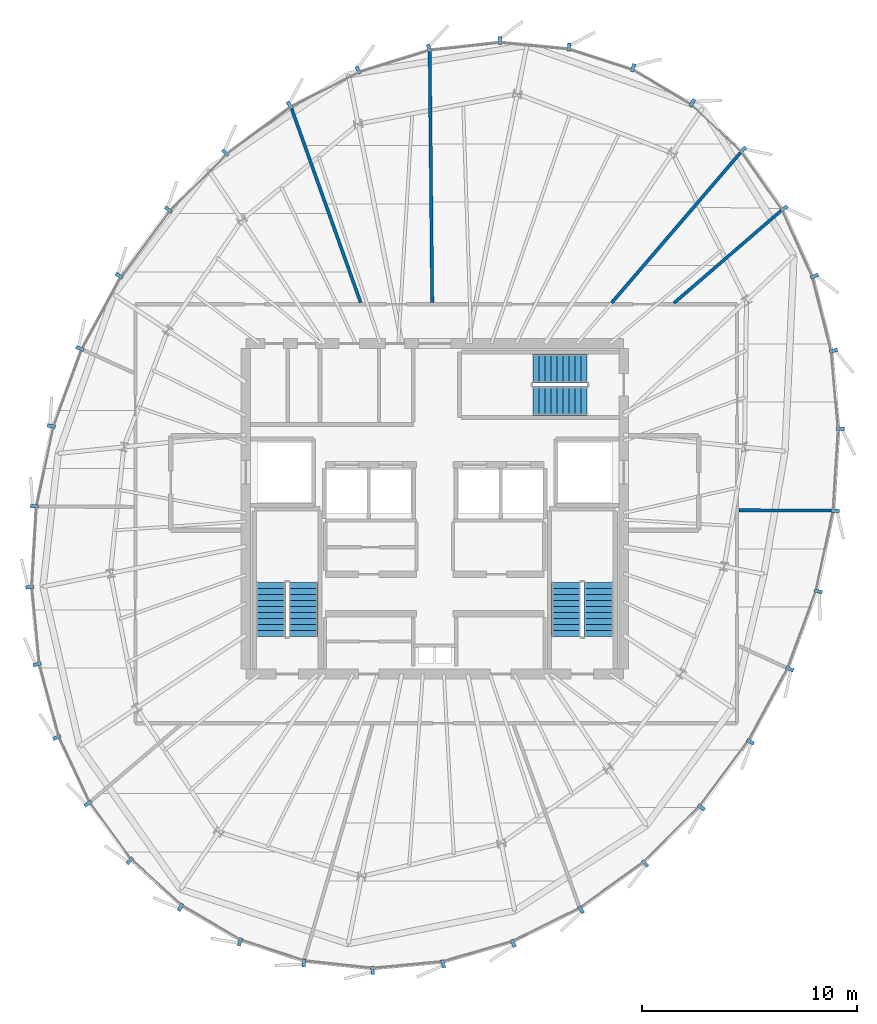
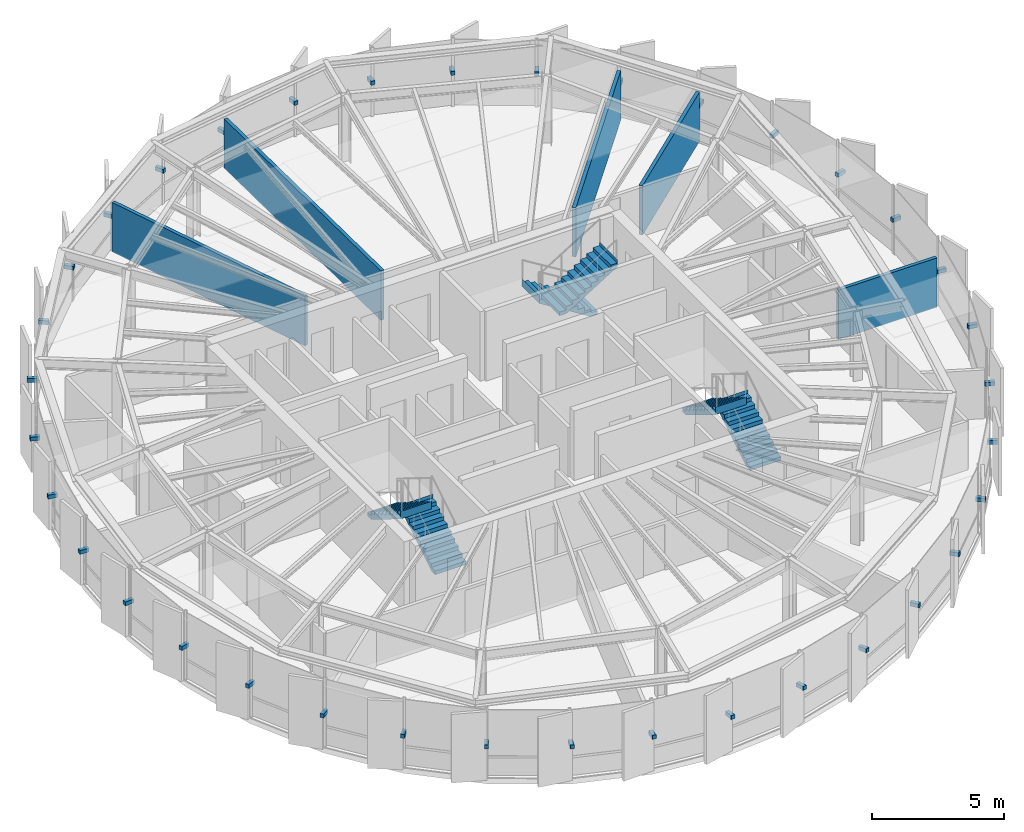
# One storey, part 26 of 30: 36 discrete accessories, 6 stair flights, 5 walls, 3 elements without a shape of their own.
"""IFC4 building model written with IfcOpenShell, lengths in metres."""

from ifc_helpers import new_model, si_unit, direction, frame, frame_2d, origin, origin_2d, place, context, subcontext, project, spatial, polyline, rectangle, outline, extrude, source, transform, mapped, material, layer, layer_set, type_object, element, aggregate, save


model = new_model("IFC4")

# Units and contexts
model_context = context("Model", 3, precision=1e-05, world=origin(), true_north=direction((0.0, 1.0)))
body_context = subcontext(model_context, "Body", "Model", "MODEL_VIEW")
ifc_project = project(units=[si_unit("LENGTHUNIT", "METRE"), si_unit("AREAUNIT", "SQUARE_METRE"), si_unit("VOLUMEUNIT", "CUBIC_METRE"), si_unit("PLANEANGLEUNIT", "RADIAN"), si_unit("MASSUNIT", "GRAM", prefix="KILO"), si_unit("THERMODYNAMICTEMPERATUREUNIT", "KELVIN")], contexts=[model_context])

# Site, building, storey
site_placement = place(None, origin())
site = spatial("IfcSite", under=ifc_project, at=site_placement, CompositionType="ELEMENT")
building_placement = place(site_placement, origin())
building = spatial("IfcBuilding", under=site, at=building_placement, Name="Kethvar Cultural Tower", CompositionType="ELEMENT")
storey_placement = place(building_placement, frame((0.0, 0.0, 297.39990234375)))
storey = spatial("IfcBuildingStorey", under=building, at=storey_placement, Name="L79", CompositionType="ELEMENT", Elevation=297.39990234375)

# Walls
ifc_material_1 = material(Name="Gypsum Acoustic Partition")
ifc_layer = layer(ifc_material_1, 0.14990234375, Name="Gypsum Acoustic Partition")
ifc_layer_set = layer_set([ifc_layer], Name="Gypsum Acoustic Partition (150 mm)")
wall_type = type_object("IfcWallType", Name="WL-PART-150", PredefinedType="PARTITIONING", material=ifc_layer_set)
wall_1_placement = place(storey_placement, frame((60.968017578125, 27.730224609375, 0.0), z_axis=(0.0, 0.0, 1.0), x_axis=(0.999993399001, -0.003633449389, 0.0)))
element("IfcWall", 1, at=wall_1_placement, inside=storey, type_object=wall_type, Name="L79 Radial Partition Wall 05", PredefinedType="PARTITIONING", context=body_context, shape_type="SweptSolid", body=[
    extrude(rectangle(XDim=4.30029296875, YDim=0.14990234375, at=frame_2d((2.150146484375, 0.0))), origin(), (0.0, 0.0, 1.0), 2.280029296875),
])
wall_2_placement = place(storey_placement, frame((57.94482421875, 37.38330078125, 0.0), z_axis=(0.0, 0.0, 1.0), x_axis=(0.757304636247, 0.653061779558, 0.0)))
element("IfcWall", 2, at=wall_2_placement, inside=storey, type_object=wall_type, Name="L79 Radial Partition Wall 06", PredefinedType="PARTITIONING", context=body_context, shape_type="SweptSolid", body=[
    extrude(rectangle(XDim=6.5625, YDim=0.14990234375, at=frame_2d((3.28125, 0.0))), origin(), (0.0, 0.0, 1.0), 2.280029296875),
])
wall_3_placement = place(storey_placement, frame((55.0380859375, 37.3916015625, 0.0), z_axis=(0.0, 0.0, 1.0), x_axis=(0.651204764104, 0.758902072213, 0.0)))
element("IfcWall", 3, at=wall_3_placement, inside=storey, type_object=wall_type, Name="L79 Radial Partition Wall 07", PredefinedType="PARTITIONING", context=body_context, shape_type="SweptSolid", body=[
    extrude(rectangle(XDim=9.190185546875, YDim=0.14990234375, at=frame_2d((4.59521484375, 0.0))), origin(), (0.0, 0.0, 1.0), 2.280029296875),
])
wall_4_placement = place(storey_placement, frame((46.681396484375, 37.410888671875, 0.0), z_axis=(0.0, 0.0, 1.0), x_axis=(-0.00999384371, 0.999950060297, 0.0)))
element("IfcWall", 4, at=wall_4_placement, inside=storey, type_object=wall_type, Name="L79 Radial Partition Wall 08", PredefinedType="PARTITIONING", context=body_context, shape_type="SweptSolid", body=[
    extrude(rectangle(XDim=11.652587890625, YDim=0.14990234375, at=frame_2d((5.826171875, 0.0))), origin(), (0.0, 0.0, 1.0), 2.280029296875),
])
wall_5_placement = place(storey_placement, frame((43.347900390625, 37.406494140625, 0.0), z_axis=(0.0, 0.0, 1.0), x_axis=(-0.335438877296, 0.94206197227, 0.0)))
element("IfcWall", 5, at=wall_5_placement, inside=storey, type_object=wall_type, Name="L79 Radial Partition Wall 09", PredefinedType="PARTITIONING", context=body_context, shape_type="SweptSolid", body=[
    extrude(rectangle(XDim=9.58251953125, YDim=0.14990234375, at=frame_2d((4.791259765625, 0.0))), origin(), (0.0, 0.0, 1.0), 2.280029296875),
])

# Stair, stair flights
ifc_material_2 = material(Name="Concrete C40/50", Category="concrete")
stair_type = type_object("IfcStairType", Name="ST-DOGLEG-135", PredefinedType="HALF_TURN_STAIR", material=ifc_material_2)
stair_1_placement = place(storey_placement, origin())
stair_1 = element("IfcStair", 6, at=stair_1_placement, inside=storey, type_object=stair_type, Name="L79 Core Exit Stair 1", PredefinedType="HALF_TURN_STAIR")
stair_flight_type = type_object("IfcStairFlightType", Name="FL-STRAIGHT-135", PredefinedType="STRAIGHT", material=ifc_material_2)
stair_flight_1_placement = place(storey_placement, frame((40.675048828125, 21.85009765625, 0.0), z_axis=(0.0, 0.0, 1.0), x_axis=(0.0, 1.0, 0.0)))
stair_flight_1 = element("IfcStairFlight", 7, at=stair_flight_1_placement, type_object=stair_flight_type, Name="ST-01 flight 1", NumberOfRisers=10, NumberOfTreads=9, PredefinedType="STRAIGHT", RiserHeight=0.1725, TreadLength=0.28, context=body_context, shape_type="SweptSolid", body=[
    extrude(outline(polyline([(-0.0009765625, -0.0009765625), (-0.0009765625, 0.172607421875), (0.280029296875, 0.172607421875), (0.280029296875, 0.344970703125), (0.56005859375, 0.344970703125), (0.56005859375, 0.517578125), (0.840087890625, 0.517578125), (0.840087890625, 0.68994140625), (1.1201171875, 0.68994140625), (1.1201171875, 0.862548828125), (1.39990234375, 0.862548828125), (1.39990234375, 1.034912109375), (1.679931640625, 1.034912109375), (1.679931640625, 1.20751953125), (1.9599609375, 1.20751953125), (1.9599609375, 1.3798828125), (2.239990234375, 1.3798828125), (2.239990234375, 1.552490234375), (2.52001953125, 1.552490234375), (2.52001953125, 1.72509765625), (2.52099609375, 1.72509765625), (2.52099609375, 1.37646484375), (0.285888671875, 0.0), (0.0, -0.0009765625), (-0.0009765625, -0.0009765625)])), frame((0.0, 0.675048828125, 0.0), z_axis=(0.0, -1.0, 0.0), x_axis=(1.0, 0.0, 0.0)), (0.0, 0.0, 1.0), 1.35009765625),
])
stair_flight_2_placement = place(storey_placement, frame((39.1650390625, 24.3701171875, 1.72509765625), z_axis=(0.0, 0.0, 1.0), x_axis=(0.0, -1.0, 0.0)))
stair_flight_2 = element("IfcStairFlight", 8, at=stair_flight_2_placement, type_object=stair_flight_type, Name="ST-01 flight 2", NumberOfRisers=10, NumberOfTreads=9, PredefinedType="STRAIGHT", RiserHeight=0.1725, TreadLength=0.28, context=body_context, shape_type="SweptSolid", body=[
    extrude(outline(polyline([(-0.0009765625, -0.0009765625), (-0.0009765625, 0.172607421875), (0.280029296875, 0.172607421875), (0.280029296875, 0.344970703125), (0.56005859375, 0.344970703125), (0.56005859375, 0.517578125), (0.840087890625, 0.517578125), (0.840087890625, 0.68994140625), (1.1201171875, 0.68994140625), (1.1201171875, 0.862548828125), (1.39990234375, 0.862548828125), (1.39990234375, 1.034912109375), (1.679931640625, 1.034912109375), (1.679931640625, 1.20751953125), (1.9599609375, 1.20751953125), (1.9599609375, 1.3798828125), (2.239990234375, 1.3798828125), (2.239990234375, 1.552490234375), (2.52001953125, 1.552490234375), (2.52001953125, 1.72509765625), (2.52099609375, 1.72509765625), (2.52099609375, 1.37646484375), (0.285888671875, 0.0), (0.0, -0.0009765625), (-0.0009765625, -0.0009765625)])), frame((0.0, 0.675048828125, 0.0), z_axis=(0.0, -1.0, 0.0), x_axis=(1.0, 0.0, 0.0)), (0.0, 0.0, 1.0), 1.35009765625),
])
aggregate(stair_1, [stair_flight_1, stair_flight_2])

stair_2_placement = place(storey_placement, origin())
stair_2 = element("IfcStair", 9, at=stair_2_placement, inside=storey, type_object=stair_type, Name="L79 Core Exit Stair 2", PredefinedType="HALF_TURN_STAIR")
stair_flight_3_placement = place(storey_placement, frame((54.43505859375, 21.85009765625, 0.0), z_axis=(0.0, 0.0, 1.0), x_axis=(0.0, 1.0, 0.0)))
stair_flight_3 = element("IfcStairFlight", 10, at=stair_flight_3_placement, type_object=stair_flight_type, Name="ST-02 flight 1", NumberOfRisers=10, NumberOfTreads=9, PredefinedType="STRAIGHT", RiserHeight=0.1725, TreadLength=0.28, context=body_context, shape_type="SweptSolid", body=[
    extrude(outline(polyline([(-0.0009765625, -0.0009765625), (-0.0009765625, 0.172607421875), (0.280029296875, 0.172607421875), (0.280029296875, 0.344970703125), (0.56005859375, 0.344970703125), (0.56005859375, 0.517578125), (0.840087890625, 0.517578125), (0.840087890625, 0.68994140625), (1.1201171875, 0.68994140625), (1.1201171875, 0.862548828125), (1.39990234375, 0.862548828125), (1.39990234375, 1.034912109375), (1.679931640625, 1.034912109375), (1.679931640625, 1.20751953125), (1.9599609375, 1.20751953125), (1.9599609375, 1.3798828125), (2.239990234375, 1.3798828125), (2.239990234375, 1.552490234375), (2.52001953125, 1.552490234375), (2.52001953125, 1.72509765625), (2.52099609375, 1.72509765625), (2.52099609375, 1.37646484375), (0.285888671875, 0.0), (0.0, -0.0009765625), (-0.0009765625, -0.0009765625)])), frame((0.0, 0.675048828125, 0.0), z_axis=(0.0, -1.0, 0.0), x_axis=(1.0, 0.0, 0.0)), (0.0, 0.0, 1.0), 1.35009765625),
])
stair_flight_4_placement = place(storey_placement, frame((52.925048828125, 24.3701171875, 1.72509765625), z_axis=(0.0, 0.0, 1.0), x_axis=(0.0, -1.0, 0.0)))
stair_flight_4 = element("IfcStairFlight", 11, at=stair_flight_4_placement, type_object=stair_flight_type, Name="ST-02 flight 2", NumberOfRisers=10, NumberOfTreads=9, PredefinedType="STRAIGHT", RiserHeight=0.1725, TreadLength=0.28, context=body_context, shape_type="SweptSolid", body=[
    extrude(outline(polyline([(-0.0009765625, -0.0009765625), (-0.0009765625, 0.172607421875), (0.280029296875, 0.172607421875), (0.280029296875, 0.344970703125), (0.56005859375, 0.344970703125), (0.56005859375, 0.517578125), (0.840087890625, 0.517578125), (0.840087890625, 0.68994140625), (1.1201171875, 0.68994140625), (1.1201171875, 0.862548828125), (1.39990234375, 0.862548828125), (1.39990234375, 1.034912109375), (1.679931640625, 1.034912109375), (1.679931640625, 1.20751953125), (1.9599609375, 1.20751953125), (1.9599609375, 1.3798828125), (2.239990234375, 1.3798828125), (2.239990234375, 1.552490234375), (2.52001953125, 1.552490234375), (2.52001953125, 1.72509765625), (2.52099609375, 1.72509765625), (2.52099609375, 1.37646484375), (0.285888671875, 0.0), (0.0, -0.0009765625), (-0.0009765625, -0.0009765625)])), frame((0.0, 0.675048828125, 0.0), z_axis=(0.0, -1.0, 0.0), x_axis=(1.0, 0.0, 0.0)), (0.0, 0.0, 1.0), 1.35009765625),
])
aggregate(stair_2, [stair_flight_3, stair_flight_4])

stair_3_placement = place(storey_placement, origin())
stair_3 = element("IfcStair", 12, at=stair_3_placement, inside=storey, type_object=stair_type, Name="L79 Core Exit Stair 3", PredefinedType="HALF_TURN_STAIR")
stair_flight_5_placement = place(storey_placement, frame((53.89990234375, 34.3349609375, 0.0), z_axis=(0.0, 0.0, 1.0), x_axis=(-1.0, 0.0, 0.0)))
stair_flight_5 = element("IfcStairFlight", 13, at=stair_flight_5_placement, type_object=stair_flight_type, Name="ST-03 flight 1", NumberOfRisers=10, NumberOfTreads=9, PredefinedType="STRAIGHT", RiserHeight=0.1725, TreadLength=0.28, context=body_context, shape_type="SweptSolid", body=[
    extrude(outline(polyline([(-0.0009765625, -0.0009765625), (-0.0009765625, 0.172607421875), (0.280029296875, 0.172607421875), (0.280029296875, 0.344970703125), (0.56005859375, 0.344970703125), (0.56005859375, 0.517578125), (0.840087890625, 0.517578125), (0.840087890625, 0.68994140625), (1.1201171875, 0.68994140625), (1.1201171875, 0.862548828125), (1.39990234375, 0.862548828125), (1.39990234375, 1.034912109375), (1.679931640625, 1.034912109375), (1.679931640625, 1.20751953125), (1.9599609375, 1.20751953125), (1.9599609375, 1.3798828125), (2.239990234375, 1.3798828125), (2.239990234375, 1.552490234375), (2.52001953125, 1.552490234375), (2.52001953125, 1.72509765625), (2.52099609375, 1.72509765625), (2.52099609375, 1.37646484375), (0.285888671875, 0.0), (0.0, -0.0009765625), (-0.0009765625, -0.0009765625)])), frame((0.0, 0.675048828125, 0.0), z_axis=(0.0, -1.0, 0.0), x_axis=(1.0, 0.0, 0.0)), (0.0, 0.0, 1.0), 1.35009765625),
])
stair_flight_6_placement = place(storey_placement, frame((51.3798828125, 32.824951171875, 1.72509765625), z_axis=(0.0, 0.0, 1.0), x_axis=(1.0, 0.0, 0.0)))
stair_flight_6 = element("IfcStairFlight", 14, at=stair_flight_6_placement, type_object=stair_flight_type, Name="ST-03 flight 2", NumberOfRisers=10, NumberOfTreads=9, PredefinedType="STRAIGHT", RiserHeight=0.1725, TreadLength=0.28, context=body_context, shape_type="SweptSolid", body=[
    extrude(outline(polyline([(-0.0009765625, -0.0009765625), (-0.0009765625, 0.172607421875), (0.280029296875, 0.172607421875), (0.280029296875, 0.344970703125), (0.56005859375, 0.344970703125), (0.56005859375, 0.517578125), (0.840087890625, 0.517578125), (0.840087890625, 0.68994140625), (1.1201171875, 0.68994140625), (1.1201171875, 0.862548828125), (1.39990234375, 0.862548828125), (1.39990234375, 1.034912109375), (1.679931640625, 1.034912109375), (1.679931640625, 1.20751953125), (1.9599609375, 1.20751953125), (1.9599609375, 1.3798828125), (2.239990234375, 1.3798828125), (2.239990234375, 1.552490234375), (2.52001953125, 1.552490234375), (2.52001953125, 1.72509765625), (2.52099609375, 1.72509765625), (2.52099609375, 1.37646484375), (0.285888671875, 0.0), (0.0, -0.0009765625), (-0.0009765625, -0.0009765625)])), frame((0.0, 0.675048828125, 0.0), z_axis=(0.0, -1.0, 0.0), x_axis=(1.0, 0.0, 0.0)), (0.0, 0.0, 1.0), 1.35009765625),
])
aggregate(stair_3, [stair_flight_5, stair_flight_6])

# Discrete accessories
ifc_material_3 = material(Name="Steel S355J2", Category="steel")
discrete_accessory_type = type_object("IfcDiscreteAccessoryType", Name="Steel Fin Bracket BRK-01", PredefinedType="BRACKET", material=ifc_material_3)
shared_shape = source(origin(), body_context, "Body", "SweptSolid", [
    extrude(rectangle(XDim=0.3798828125, YDim=0.159912109375, at=origin_2d()), origin(), (0.0, 0.0, 1.0), 0.179931640625),
])
for number, where, z_axis, x_axis, name in (
    (15, (56.0380859375, 48.34912109375, 1.51513671875), (0.0, 0.0, 1.0), (0.308020881065, 0.951379596601, 0.0), "L79 Terracotta Fin Bracket 1.1"),
    (16, (53.054931640625, 49.314453125, 1.51513671875), (0.0, 0.0, 1.0), (0.095498287868, 0.995429594203, 0.0), "L79 Terracotta Fin Bracket 1.2"),
    (17, (49.841552734375, 49.62255859375, 1.51513671875), (0.0, 0.0, 1.0), (-0.109387346587, 0.993999199399, 0.0), "L79 Terracotta Fin Bracket 1.3"),
    (18, (46.53173828125, 49.25830078125, 1.51513671875), (0.0, 0.0, 1.0), (-0.294540736955, 0.955638924633, 0.0), "L79 Terracotta Fin Bracket 1.4"),
    (19, (43.22900390625, 48.239990234375, 1.51513671875), (0.0, 0.0, 1.0), (-0.455544907234, 0.890212804611, 0.0), "L79 Terracotta Fin Bracket 1.5"),
    (20, (40.0380859375, 46.607421875, 1.51513671875), (0.0, 0.0, 1.0), (-0.592294464767, 0.805721581569, 0.0), "L79 Terracotta Fin Bracket 1.6"),
    (21, (37.03369140625, 44.391845703125, 1.51513671875), (0.0, 0.0, 1.0), (-0.707230183831, 0.706983357002, 0.0), "L79 Terracotta Fin Bracket 2.1"),
    (22, (34.384033203125, 41.740966796875, 1.51513671875), (0.0, 0.0, 1.0), (-0.802609304542, 0.596505074801, 0.0), "L79 Terracotta Fin Bracket 2.2"),
    (23, (32.095458984375, 38.660888671875, 1.51513671875), (0.0, 0.0, 1.0), (-0.879648572867, 0.47562420907, 0.0), "L79 Terracotta Fin Bracket 2.3"),
    (24, (30.2607421875, 35.26708984375, 1.51513671875), (0.0, 0.0, 1.0), (-0.93849302276, 0.345298198999, 0.0), "L79 Terracotta Fin Bracket 2.4"),
    (25, (28.930419921875, 31.65087890625, 1.51513671875), (0.0, 0.0, 1.0), (-0.978472980779, 0.206374964291, 0.0), "L79 Terracotta Fin Bracket 2.5"),
    (26, (28.14306640625, 27.91748046875, 1.51513671875), (0.0, 0.0, 1.0), (-0.998260468937, 0.058957918535, 0.0), "L79 Terracotta Fin Bracket 2.6"),
    (27, (27.926025390625, 24.14501953125, 1.51513671875), (0.0, 0.0, 1.0), (-0.995295283161, -0.096888076238, 0.0), "L79 Terracotta Fin Bracket 3.1"),
    (28, (28.275634765625, 20.5537109375, 1.51513671875), (0.0, 0.0, 1.0), (-0.965744901133, -0.259493325415, 0.0), "L79 Terracotta Fin Bracket 3.2"),
    (29, (29.19140625, 17.146728515625, 1.51513671875), (0.0, 0.0, 1.0), (-0.904827052466, -0.425779291565, 0.0), "L79 Terracotta Fin Bracket 3.3"),
    (30, (30.642333984375, 14.0634765625, 1.51513671875), (0.0, 0.0, 1.0), (-0.808298275618, -0.588773214093, 0.0), "L79 Terracotta Fin Bracket 3.4"),
    (31, (32.584228515625, 11.3974609375, 1.51513671875), (0.0, 0.0, 1.0), (-0.674302387584, -0.738455340626, 0.0), "L79 Terracotta Fin Bracket 3.5"),
    (32, (34.95849609375, 9.229736328125, 1.51513671875), (0.0, 0.0, 1.0), (-0.505883219381, -0.862601975623, 0.0), "L79 Terracotta Fin Bracket 3.6"),
    (33, (37.726318359375, 7.615234375, 1.51513671875), (0.0, 0.0, 1.0), (-0.312500715155, -0.949917524329, 0.0), "L79 Terracotta Fin Bracket 4.1"),
    (34, (40.703125, 6.63623046875, 1.51513671875), (0.0, 0.0, 1.0), (-0.107999355706, -0.994150963972, 0.0), "L79 Terracotta Fin Bracket 4.2"),
    (35, (43.899169921875, 6.28955078125, 1.51513671875), (0.0, 0.0, 1.0), (0.092891934994, -0.995676196569, 0.0), "L79 Terracotta Fin Bracket 4.3"),
    (36, (47.18310546875, 6.59619140625, 1.51513671875), (0.0, 0.0, 1.0), (0.278991106039, -0.960293685677, 0.0), "L79 Terracotta Fin Bracket 4.4"),
    (37, (50.455322265625, 7.547119140625, 1.51513671875), (0.0, 0.0, 1.0), (0.444009746106, -0.896021955849, 0.0), "L79 Terracotta Fin Bracket 4.5"),
    (38, (53.6162109375, 9.11328125, 1.51513671875), (0.0, 0.0, 1.0), (0.585523761754, -0.810655243875, 0.0), "L79 Terracotta Fin Bracket 4.6"),
    (39, (56.595458984375, 11.2724609375, 1.51513671875), (0.0, 0.0, 1.0), (0.704386480127, -0.709816657042, 0.0), "L79 Terracotta Fin Bracket 5.1"),
    (40, (59.227294921875, 13.884033203125, 1.51513671875), (0.0, 0.0, 1.0), (0.801879937297, -0.597485201625, 0.0), "L79 Terracotta Fin Bracket 5.2"),
    (41, (61.506591796875, 16.943603515625, 1.51513671875), (0.0, 0.0, 1.0), (0.879648572867, -0.47562420907, 0.0), "L79 Terracotta Fin Bracket 5.3"),
    (42, (63.33935546875, 20.3330078125, 1.51513671875), (0.0, 0.0, 1.0), (0.93849302276, -0.345298198999, 0.0), "L79 Terracotta Fin Bracket 5.4"),
    (43, (64.671630859375, 23.953857421875, 1.51513671875), (0.0, 0.0, 1.0), (0.978220116011, -0.207570240234, 0.0), "L79 Terracotta Fin Bracket 5.5"),
    (44, (65.46826171875, 27.70751953125, 1.51513671875), (0.0, 0.0, 1.0), (0.998015754214, -0.062964707096, 0.0), "L79 Terracotta Fin Bracket 5.6"),
    (45, (65.703369140625, 31.519287109375, 1.51513671875), (0.0, 0.0, 1.0), (0.996072034691, 0.088546607536, 0.0), "L79 Terracotta Fin Bracket 6.1"),
    (46, (65.379150390625, 35.1669921875, 1.51513671875), (0.0, 0.0, 1.0), (0.968972607188, 0.24716813411, 0.0), "L79 Terracotta Fin Bracket 6.2"),
    (47, (64.4931640625, 38.640380859375, 1.51513671875), (0.0, 0.0, 1.0), (0.911618620107, 0.411037092578, 0.0), "L79 Terracotta Fin Bracket 6.3"),
    (48, (63.07275390625, 41.791015625, 1.51513671875), (0.0, 0.0, 1.0), (0.817948952887, 0.575290805133, 0.0), "L79 Terracotta Fin Bracket 6.4"),
    (49, (61.156494140625, 44.5146484375, 1.51513671875), (0.0, 0.0, 1.0), (0.683528606764, 0.729923724601, 0.0), "L79 Terracotta Fin Bracket 6.5"),
    (50, (58.800048828125, 46.72119140625, 1.51513671875), (0.0, 0.0, 1.0), (0.509942503415, 0.860208488223, 0.0), "L79 Terracotta Fin Bracket 6.6"),
):
    element("IfcDiscreteAccessory", number, at=place(storey_placement, frame(where, z_axis=z_axis, x_axis=x_axis)), inside=storey, type_object=discrete_accessory_type, Name=name, PredefinedType="BRACKET", context=body_context, shape_type="MappedRepresentation", body=[
        mapped(shared_shape, transform((0.0, 0.0, 0.0), scale=1.0)),
    ])

save(model, "model.ifc")
